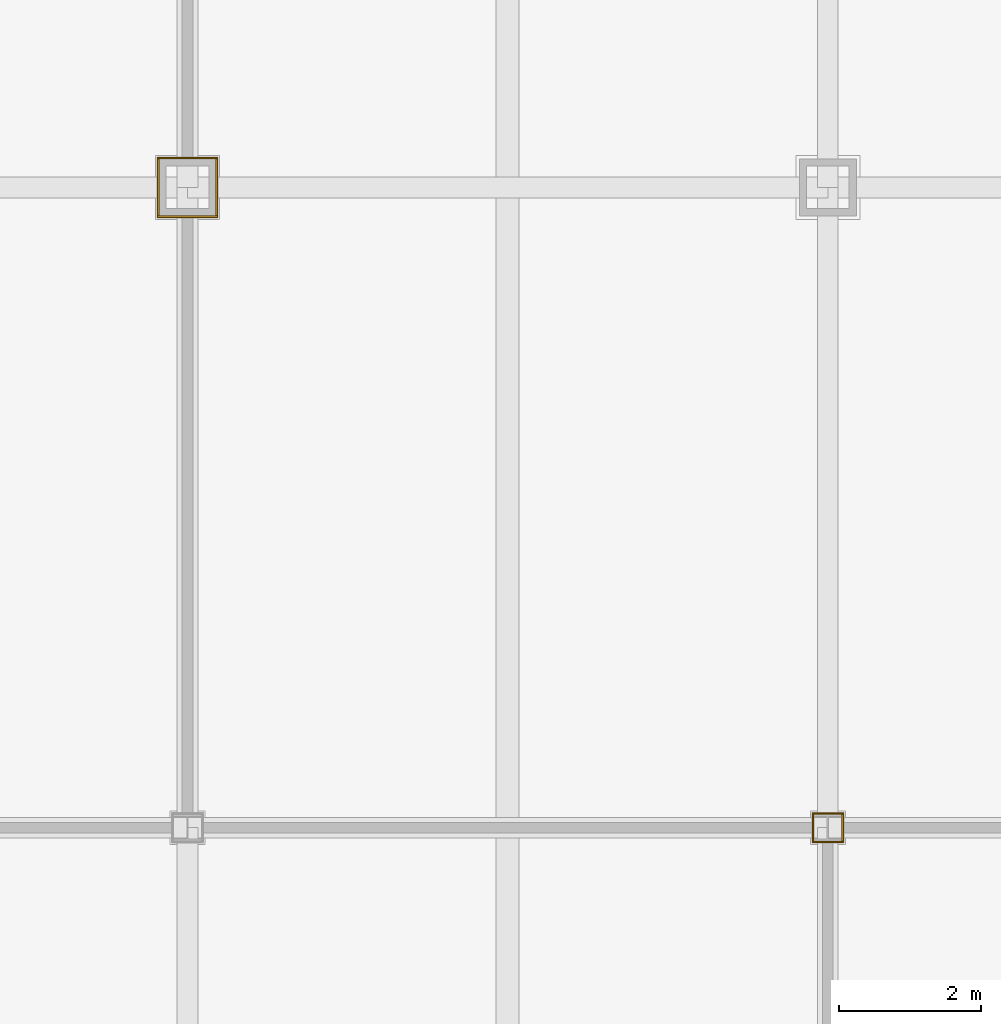
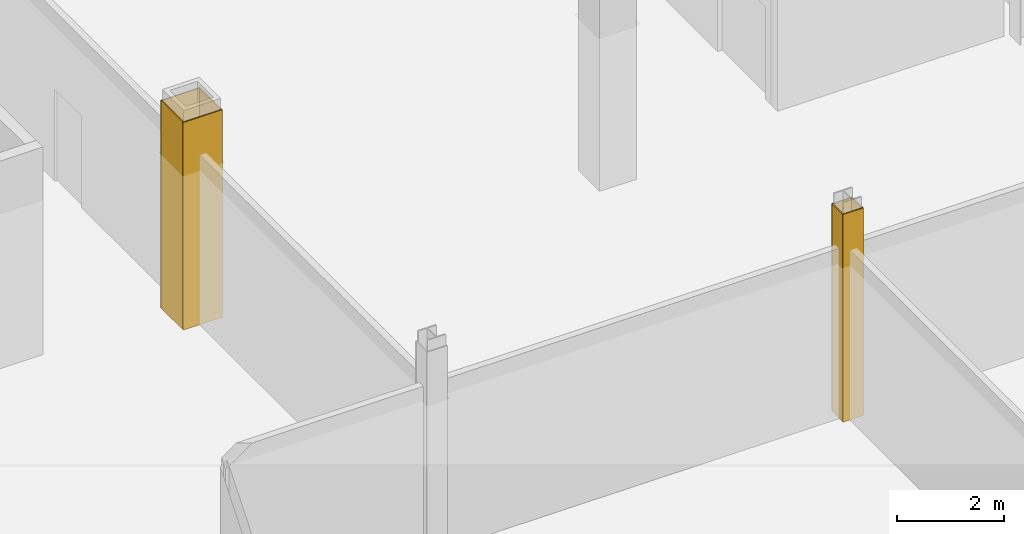
# One storey, part 23 of 31: 8 coverings.
"""IFC4 building model written with IfcOpenShell, lengths in metres."""

import ifcopenshell
import ifcopenshell.guid

model = None  # the IFC model being written
_history = None  # IfcOwnerHistory: only IFC2X3 demands one
_inside = {}  # id of a spatial element -> (the spatial element, [elements in it])
_under = {}  # id of a project, library or spatial element -> (it, [spatial elements below it])
_declared = {}  # id of a project -> (the project, [libraries it declares])
_typed = {}  # id of a type object -> (the type object, [elements of that type])
_made_of = {}  # id of a material, layer set ... -> (it, [elements and type objects made of it])


def new_model(schema):
    """Start an empty IFC model of exactly this schema.

    Asked for "IFC4X3", IfcOpenShell would pick the latest addendum, in which some entities
    have other attributes; the version numbers below select the first issue.
    IFC2X3 requires an IfcOwnerHistory on every rooted entity: one is made here for all.
    """
    global model, _history
    if schema == "IFC4X3":
        model = ifcopenshell.file(schema_version=(4, 3, 0, 0))
    else:
        model = ifcopenshell.file(schema=schema)
    _inside.clear()
    _under.clear()
    _declared.clear()
    _typed.clear()
    _made_of.clear()
    _history = None
    if model.schema == "IFC2X3":
        org = make("IfcOrganization", Name="unknown")
        user = make(
            "IfcPersonAndOrganization",
            ThePerson=make("IfcPerson", FamilyName="unknown"),
            TheOrganization=org,
        )
        app = make(
            "IfcApplication",
            ApplicationDeveloper=org,
            Version="unknown",
            ApplicationFullName="unknown",
            ApplicationIdentifier="unknown",
        )
        _history = make(
            "IfcOwnerHistory",
            OwningUser=user,
            OwningApplication=app,
            ChangeAction="ADDED",
            CreationDate=0,
        )
    return model


def make(cls, **values):
    """One entity of the class cls with the attributes given. An attribute that is None is left unset."""
    return model.create_entity(
        cls, **{name: value for name, value in values.items() if value is not None}
    )


def rooted(cls, **values):
    """An entity with a GlobalId (a new one), such as an element, a storey or a relation."""
    return make(cls, GlobalId=ifcopenshell.guid.new(), OwnerHistory=_history, **values)


def si_unit(unit_type, name, prefix=None):
    """IfcSIUnit, for example si_unit("LENGTHUNIT", "METRE", prefix="MILLI")."""
    return make("IfcSIUnit", UnitType=unit_type, Prefix=prefix, Name=name)


def assignment(units):
    """IfcUnitAssignment: the units of a project."""
    return None if units is None else make("IfcUnitAssignment", Units=units)


def point(xyz):
    """IfcCartesianPoint."""
    return None if xyz is None else make("IfcCartesianPoint", Coordinates=xyz)


def direction(xyz):
    """IfcDirection."""
    return None if xyz is None else make("IfcDirection", DirectionRatios=xyz)


def frame(location, z_axis=None, x_axis=None):
    """IfcAxis2Placement3D, a coordinate frame: its origin and axes. An axis left out is left unset."""
    return make(
        "IfcAxis2Placement3D",
        Location=point(location),
        Axis=direction(z_axis),
        RefDirection=direction(x_axis),
    )


def frame_2d(location, x_axis=None):
    """IfcAxis2Placement2D, a coordinate frame in the plane: its origin and x axis."""
    return make(
        "IfcAxis2Placement2D", Location=point(location), RefDirection=direction(x_axis)
    )


def origin():
    """The frame at (0, 0, 0) with its axes left unset."""
    return frame((0.0, 0.0, 0.0))


def origin_2d():
    """The frame at (0, 0) in the plane with its x axis left unset."""
    return frame_2d((0.0, 0.0))


def place(relative_to, where):
    """IfcLocalPlacement: puts the frame where relative to a parent placement (None: the world)."""
    return make(
        "IfcLocalPlacement", PlacementRelTo=relative_to, RelativePlacement=where
    )


def context(
    kind, dimensions, precision=None, world=None, true_north=None, identifier=None
):
    """IfcGeometricRepresentationContext, for example the 3D "Model" context."""
    return make(
        "IfcGeometricRepresentationContext",
        ContextIdentifier=identifier,
        ContextType=kind,
        CoordinateSpaceDimension=dimensions,
        Precision=precision,
        WorldCoordinateSystem=world,
        TrueNorth=true_north,
    )


def subcontext(parent, identifier, kind, view, scale=None):
    """IfcGeometricRepresentationSubContext, for example "Body" below "Model"."""
    return make(
        "IfcGeometricRepresentationSubContext",
        ContextIdentifier=identifier,
        ContextType=kind,
        ParentContext=parent,
        TargetScale=scale,
        TargetView=view,
    )


def project(units=None, contexts=None):
    """IfcProject with its units and contexts."""
    return rooted(
        "IfcProject",
        Name="project",
        RepresentationContexts=contexts,
        UnitsInContext=assignment(units),
    )


def spatial(cls, under=None, at=None, **own):
    """A site, building, storey or space (cls), placed at a placement, below another one or the project."""
    s = rooted(cls, ObjectPlacement=at, **own)
    if under is not None:
        _under.setdefault(under.id(), (under, []))[1].append(s)
    return s


def profile(cls, at=None, kind="AREA", **sizes):
    """A parametric profile (cls). Its sizes go by their IFC names, for example OverallWidth=200.0."""
    return make(cls, ProfileType=kind, Position=at, **sizes)


def rectangle(**sizes):
    """IfcRectangleProfileDef."""
    return profile("IfcRectangleProfileDef", **sizes)


def extrude(swept, where, along, depth):
    """IfcExtrudedAreaSolid: the profile swept, set in the frame where, extruded along a direction by depth."""
    return make(
        "IfcExtrudedAreaSolid",
        SweptArea=swept,
        Position=where,
        ExtrudedDirection=direction(along),
        Depth=depth,
    )


def shape(context_of_items, identifier, shape_type, items):
    """IfcShapeRepresentation: the items that make up one representation, for example the "Body"."""
    return make(
        "IfcShapeRepresentation",
        ContextOfItems=context_of_items,
        RepresentationIdentifier=identifier,
        RepresentationType=shape_type,
        Items=items,
    )


def material(Name=None, Category=None):
    """IfcMaterial."""
    return make("IfcMaterial", Name=Name, Category=Category)


def layer(
    of_material, thickness, ventilated=None, Name=None, Category=None, Priority=None
):
    """IfcMaterialLayer: one layer of a wall or slab, of a material (None: an air gap)."""
    return make(
        "IfcMaterialLayer",
        Material=of_material,
        LayerThickness=thickness,
        IsVentilated=ventilated,
        Name=Name,
        Category=Category,
        Priority=Priority,
    )


def layer_set(layers, Name=None):
    """IfcMaterialLayerSet."""
    return make("IfcMaterialLayerSet", MaterialLayers=layers, LayerSetName=Name)


def made_of(thing, what):
    """Note that an element or type object is made of a material, layer set ...; save() writes the relation."""
    if what is not None:
        _made_of.setdefault(what.id(), (what, []))[1].append(thing)
    return thing


def type_object(cls, material=None, **own):
    """A type object (cls), such as IfcWallType, which elements share."""
    return made_of(rooted(cls, **own), material)


def element(
    cls,
    number,
    at=None,
    inside=None,
    cuts=None,
    type_object=None,
    material=None,
    context=None,
    identifier="Body",
    shape_type=None,
    held_by="IfcProductDefinitionShape",
    body=None,
    shapes=None,
    **own,
):
    """One element of the class cls, such as IfcWall. Its Tag is "e" and its number.

    at: its placement. inside: the storey or other place that contains it. cuts: it is an
    opening in that element (IfcRelVoidsElement). A single representation is given by context,
    identifier, shape_type and body (its items); several are given by shapes. held_by: the class
    of the entity that holds the representations. save() writes the other relations.
    """
    e = rooted(cls, Tag="e%d" % number, ObjectPlacement=at, **own)
    if body is not None:
        shapes = [shape(context, identifier, shape_type, body)]
    if shapes is not None:
        e.Representation = make(held_by, Representations=shapes)
    if inside is not None:
        _inside.setdefault(inside.id(), (inside, []))[1].append(e)
    if cuts is not None:
        rooted(
            "IfcRelVoidsElement", RelatingBuildingElement=cuts, RelatedOpeningElement=e
        )
    if type_object is not None:
        _typed.setdefault(type_object.id(), (type_object, []))[1].append(e)
    return made_of(e, material)


def aggregate(whole, parts):
    """IfcRelAggregates: a whole, such as a stair, and the parts it consists of."""
    return rooted("IfcRelAggregates", RelatingObject=whole, RelatedObjects=parts)


def save(model, path):
    """Write the relations noted so far, then the file.

    IfcRelAggregates (storeys below a building ...), IfcRelContainedInSpatialStructure (elements
    in a storey), IfcRelDefinesByType, IfcRelAssociatesMaterial and IfcRelDeclares: one each for
    every whole, place, type object, material and project.
    """
    for whole, parts in _under.values():
        aggregate(whole, parts)
    for where, things in _inside.values():
        rooted(
            "IfcRelContainedInSpatialStructure",
            RelatedElements=things,
            RelatingStructure=where,
        )
    for kind, things in _typed.values():
        rooted("IfcRelDefinesByType", RelatedObjects=things, RelatingType=kind)
    for what, things in _made_of.values():
        rooted("IfcRelAssociatesMaterial", RelatedObjects=things, RelatingMaterial=what)
    for by, libraries in _declared.values():
        rooted("IfcRelDeclares", RelatingContext=by, RelatedDefinitions=libraries)
    model.write(path)


model = new_model("IFC4")

# Units and contexts
model_context = context("Model", 3, precision=1e-05, world=origin(), true_north=direction((0.0, 1.0)))
body_context = subcontext(model_context, "Body", "Model", "MODEL_VIEW")
ifc_project = project(units=[si_unit("LENGTHUNIT", "METRE"), si_unit("AREAUNIT", "SQUARE_METRE"), si_unit("VOLUMEUNIT", "CUBIC_METRE"), si_unit("PLANEANGLEUNIT", "RADIAN"), si_unit("MASSUNIT", "GRAM", prefix="KILO")], contexts=[model_context])

# Site, building, storey
site_placement = place(None, origin())
site = spatial("IfcSite", under=ifc_project, at=site_placement, CompositionType="ELEMENT")
building_placement = place(site_placement, origin())
building = spatial("IfcBuilding", under=site, at=building_placement, Name="Loomwork Tower", CompositionType="ELEMENT")
storey_placement = place(building_placement, frame((0.0, 0.0, 11.0)))
storey = spatial("IfcBuildingStorey", under=building, at=storey_placement, Name="L02", CompositionType="ELEMENT", Elevation=11.0)

# Coverings
ifc_material = material(Name="Two-hour fire-rated gypsum board casing")
ifc_layer = layer(ifc_material, 0.02490234375)
ifc_layer_set = layer_set([ifc_layer], Name="Column fire casing 25")
covering_type = type_object("IfcCoveringType", Name="Column fire casing 25", PredefinedType="CLADDING", material=ifc_layer_set)
for number, where, z_axis, x_axis, name in (
    (1, (45.0, 0.41259765625, 0.0), (0.0, 0.0, 1.0), (1.0, 0.0, 0.0), "Column casing 45 0 L02"),
    (2, (45.0, -0.41259765625, 0.0), (0.0, 0.0, 1.0), (1.0, 0.0, 0.0), "Column casing 45 0 L02"),
):
    element("IfcCovering", number, at=place(storey_placement, frame(where, z_axis=z_axis, x_axis=x_axis)), inside=storey, type_object=covering_type, Name=name, PredefinedType="CLADDING", context=body_context, shape_type="SweptSolid", body=[
        extrude(rectangle(XDim=0.85009765625, YDim=0.02490234375, at=origin_2d()), origin(), (0.0, 0.0, 1.0), 4.75),
    ])
for number, where, z_axis, x_axis, name in (
    (3, (45.41259765625, 0.0, 0.0), (0.0, 0.0, 1.0), (1.0, 0.0, 0.0), "Column casing 45 0 L02"),
    (4, (44.58740234375, 0.0, 0.0), (0.0, 0.0, 1.0), (1.0, 0.0, 0.0), "Column casing 45 0 L02"),
):
    element("IfcCovering", number, at=place(storey_placement, frame(where, z_axis=z_axis, x_axis=x_axis)), inside=storey, type_object=covering_type, Name=name, PredefinedType="CLADDING", context=body_context, shape_type="SweptSolid", body=[
        extrude(rectangle(XDim=0.02490234375, YDim=0.800048828125, at=origin_2d()), origin(), (0.0, 0.0, 1.0), 4.75),
    ])
for number, where, z_axis, x_axis, name in (
    (5, (54.0, -8.799560546875, 0.0), (0.0, 0.0, 1.0), (1.0, 0.0, 0.0), "Column casing 54 -9 L02"),
    (6, (54.0, -9.200439453125, 0.0), (0.0, 0.0, 1.0), (1.0, 0.0, 0.0), "Column casing 54 -9 L02"),
):
    element("IfcCovering", number, at=place(storey_placement, frame(where, z_axis=z_axis, x_axis=x_axis)), inside=storey, type_object=covering_type, Name=name, PredefinedType="CLADDING", context=body_context, shape_type="SweptSolid", body=[
        extrude(rectangle(XDim=0.443603515625, YDim=0.02490234375, at=origin_2d()), origin(), (0.0, 0.0, 1.0), 4.75),
    ])
for number, where, z_axis, x_axis, name in (
    (7, (54.20947265625, -9.0, 0.0), (0.0, 0.0, 1.0), (1.0, 0.0, 0.0), "Column casing 54 -9 L02"),
    (8, (53.79052734375, -9.0, 0.0), (0.0, 0.0, 1.0), (1.0, 0.0, 0.0), "Column casing 54 -9 L02"),
):
    element("IfcCovering", number, at=place(storey_placement, frame(where, z_axis=z_axis, x_axis=x_axis)), inside=storey, type_object=covering_type, Name=name, PredefinedType="CLADDING", context=body_context, shape_type="SweptSolid", body=[
        extrude(rectangle(XDim=0.02490234375, YDim=0.3759765625, at=origin_2d()), origin(), (0.0, 0.0, 1.0), 4.75),
    ])

save(model, "model.ifc")
